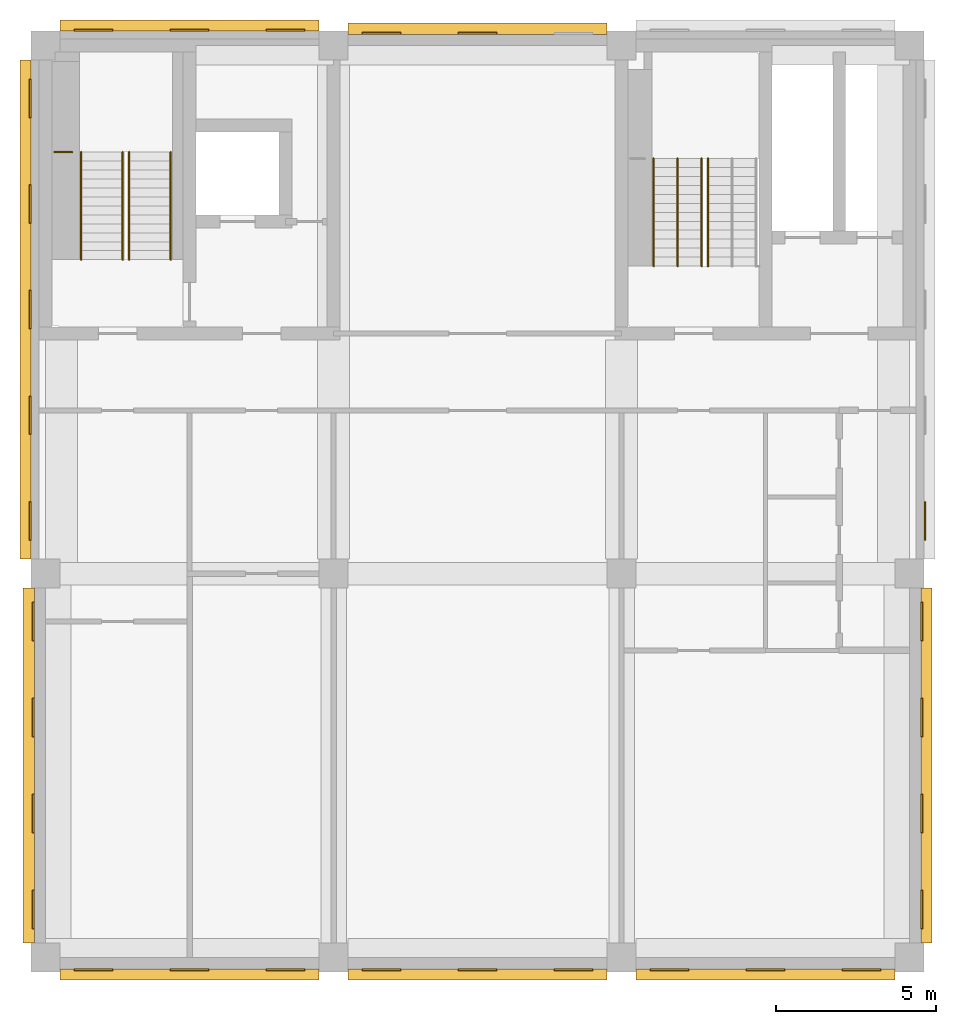
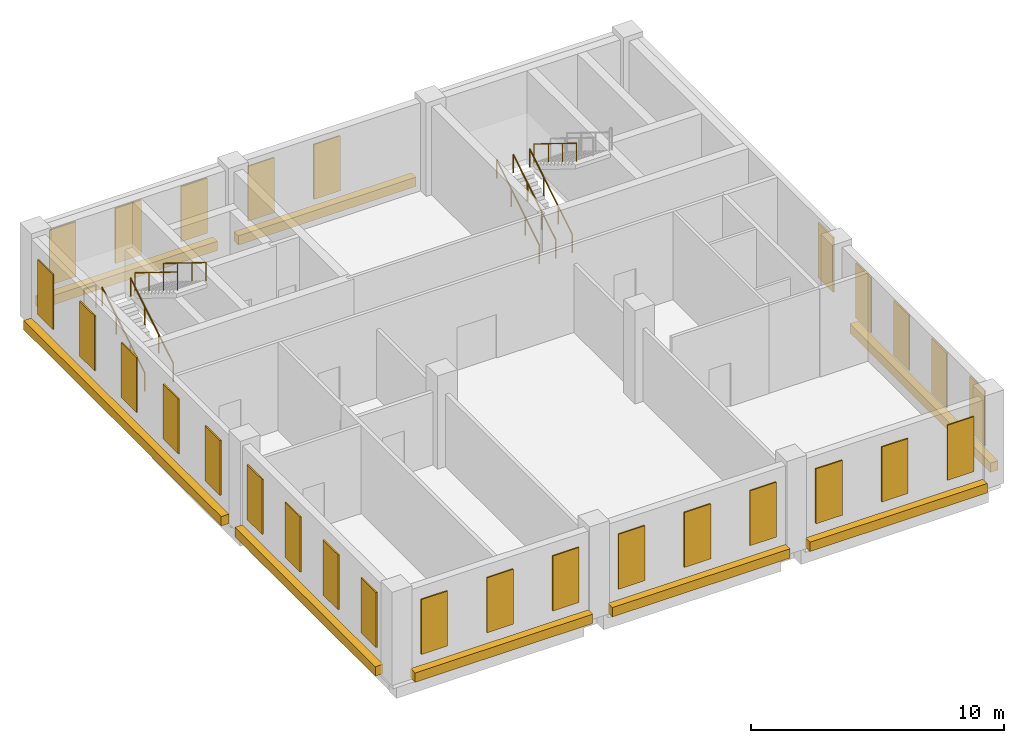
# One storey, part 4 of 5: 36 coverings, 9 railings.
"""IFC4 building model written with IfcOpenShell, lengths in metres."""

from ifc_helpers import new_model, si_unit, direction, frame, origin, origin_2d, place, context, subcontext, project, spatial, rectangle, circle, extrude, material, layer, layer_set, type_object, element, save


model = new_model("IFC4")

# Units and contexts
model_context = context("Model", 3, precision=1e-05, world=origin(), true_north=direction((0.0, 1.0)))
body_context = subcontext(model_context, "Body", "Model", "MODEL_VIEW")
ifc_project = project(units=[si_unit("LENGTHUNIT", "METRE"), si_unit("AREAUNIT", "SQUARE_METRE"), si_unit("VOLUMEUNIT", "CUBIC_METRE"), si_unit("PLANEANGLEUNIT", "RADIAN"), si_unit("MASSUNIT", "GRAM", prefix="KILO")], contexts=[model_context])

# Site, building, storey
site_placement = place(None, origin())
site = spatial("IfcSite", under=ifc_project, at=site_placement, CompositionType="ELEMENT")
building_placement = place(site_placement, origin())
building = spatial("IfcBuilding", under=site, at=building_placement, Name="Aurelan Courthouse", CompositionType="ELEMENT")
storey_placement = place(building_placement, frame((0.0, 0.0, 53.39990234375)))
storey = spatial("IfcBuildingStorey", under=building, at=storey_placement, Name="L10", CompositionType="ELEMENT", Elevation=53.39990234375)

# Coverings
ifc_material_1 = material(Name="Bronze sheet cladding")
ifc_layer = layer(ifc_material_1, 0.06005859375)
ifc_layer_set = layer_set([ifc_layer], Name="Bronze sheet cladding")
covering_type_1 = type_object("IfcCoveringType", Name="Courts' Floors blind bay 1200 x 2650", PredefinedType="CLADDING", material=ifc_layer_set)
for number, where, z_axis, x_axis, name in (
    (1, (1.5, -0.3798828125, 1.000244140625), (0.0, 0.0, 1.0), (1.0, 0.0, 0.0), "Blind bay BB-V5-L10-001"),
    (2, (4.5, -0.3798828125, 1.000244140625), (0.0, 0.0, 1.0), (1.0, 0.0, 0.0), "Blind bay BB-V5-L10-002"),
    (3, (7.5, -0.3798828125, 1.000244140625), (0.0, 0.0, 1.0), (1.0, 0.0, 0.0), "Blind bay BB-V5-L10-003"),
    (4, (10.5, -0.3798828125, 1.000244140625), (0.0, 0.0, 1.0), (1.0, 0.0, 0.0), "Blind bay BB-V5-L10-004"),
    (5, (13.5, -0.3798828125, 1.000244140625), (0.0, 0.0, 1.0), (1.0, 0.0, 0.0), "Blind bay BB-V5-L10-005"),
    (6, (16.5, -0.3798828125, 1.000244140625), (0.0, 0.0, 1.0), (1.0, 0.0, 0.0), "Blind bay BB-V5-L10-006"),
    (7, (19.5, -0.3798828125, 1.000244140625), (0.0, 0.0, 1.0), (1.0, 0.0, 0.0), "Blind bay BB-V5-L10-007"),
    (8, (22.5, -0.3798828125, 1.000244140625), (0.0, 0.0, 1.0), (1.0, 0.0, 0.0), "Blind bay BB-V5-L10-008"),
    (9, (25.5, -0.3798828125, 1.000244140625), (0.0, 0.0, 1.0), (1.0, 0.0, 0.0), "Blind bay BB-V5-L10-009"),
    (10, (1.5, 28.97998046875, 1.000244140625), (0.0, 0.0, 1.0), (1.0, 0.0, 0.0), "Blind bay BB-V5-L10-010"),
    (11, (4.5, 28.97998046875, 1.000244140625), (0.0, 0.0, 1.0), (1.0, 0.0, 0.0), "Blind bay BB-V5-L10-011"),
    (12, (7.5, 28.97998046875, 1.000244140625), (0.0, 0.0, 1.0), (1.0, 0.0, 0.0), "Blind bay BB-V5-L10-012"),
    (13, (10.5, 28.8798828125, 1.000244140625), (0.0, 0.0, 1.0), (1.0, 0.0, 0.0), "Blind bay BB-V5-L10-013"),
    (14, (13.5, 28.8798828125, 1.000244140625), (0.0, 0.0, 1.0), (1.0, 0.0, 0.0), "Blind bay BB-V5-L10-014"),
):
    element("IfcCovering", number, at=place(storey_placement, frame(where, z_axis=z_axis, x_axis=x_axis)), inside=storey, type_object=covering_type_1, Name=name, PredefinedType="CLADDING", context=body_context, shape_type="SweptSolid", body=[
        extrude(rectangle(XDim=1.199951171875, YDim=0.06005859375, at=origin_2d()), origin(), (0.0, 0.0, 1.0), 2.64990234375),
    ])
for number, where, z_axis, x_axis, name in (
    (15, (27.3798828125, 1.5, 1.000244140625), (0.0, 0.0, 1.0), (1.0, 0.0, 0.0), "Blind bay BB-V5-L10-019"),
    (16, (27.3798828125, 4.5, 1.000244140625), (0.0, 0.0, 1.0), (1.0, 0.0, 0.0), "Blind bay BB-V5-L10-020"),
    (17, (27.3798828125, 7.5, 1.000244140625), (0.0, 0.0, 1.0), (1.0, 0.0, 0.0), "Blind bay BB-V5-L10-021"),
    (18, (27.3798828125, 10.5, 1.000244140625), (0.0, 0.0, 1.0), (1.0, 0.0, 0.0), "Blind bay BB-V5-L10-022"),
    (19, (27.47998046875, 13.64990234375, 1.000244140625), (0.0, 0.0, 1.0), (1.0, 0.0, 0.0), "Blind bay BB-V5-L10-023"),
    (20, (-0.3798828125, 1.5, 1.000244140625), (0.0, 0.0, 1.0), (1.0, 0.0, 0.0), "Blind bay BB-V5-L10-028"),
    (21, (-0.3798828125, 4.5, 1.000244140625), (0.0, 0.0, 1.0), (1.0, 0.0, 0.0), "Blind bay BB-V5-L10-029"),
    (22, (-0.3798828125, 7.5, 1.000244140625), (0.0, 0.0, 1.0), (1.0, 0.0, 0.0), "Blind bay BB-V5-L10-030"),
    (23, (-0.3798828125, 10.5, 1.000244140625), (0.0, 0.0, 1.0), (1.0, 0.0, 0.0), "Blind bay BB-V5-L10-031"),
    (24, (-0.47998046875, 13.64990234375, 1.000244140625), (0.0, 0.0, 1.0), (1.0, 0.0, 0.0), "Blind bay BB-V5-L10-032"),
    (25, (-0.47998046875, 16.949951171875, 1.000244140625), (0.0, 0.0, 1.0), (1.0, 0.0, 0.0), "Blind bay BB-V5-L10-033"),
    (26, (-0.47998046875, 20.25, 1.000244140625), (0.0, 0.0, 1.0), (1.0, 0.0, 0.0), "Blind bay BB-V5-L10-034"),
    (27, (-0.47998046875, 23.550048828125, 1.000244140625), (0.0, 0.0, 1.0), (1.0, 0.0, 0.0), "Blind bay BB-V5-L10-035"),
    (28, (-0.47998046875, 26.85009765625, 1.000244140625), (0.0, 0.0, 1.0), (1.0, 0.0, 0.0), "Blind bay BB-V5-L10-036"),
):
    element("IfcCovering", number, at=place(storey_placement, frame(where, z_axis=z_axis, x_axis=x_axis)), inside=storey, type_object=covering_type_1, Name=name, PredefinedType="CLADDING", context=body_context, shape_type="SweptSolid", body=[
        extrude(rectangle(XDim=0.06005859375, YDim=1.199951171875, at=origin_2d()), origin(), (0.0, 0.0, 1.0), 2.64990234375),
    ])
ifc_material_2 = material(Name="Limestone cladding", Category="masonry")
covering_type_2 = type_object("IfcCoveringType", Name="Courts' Floors string course 450 x 350", PredefinedType="CLADDING", material=ifc_material_2)
for number, where, z_axis, x_axis, name in (
    (29, (4.5, -0.52490234375, 0.0), (0.0, 0.0, 1.0), (1.0, 0.0, 0.0), "String course SC-V5-025"),
    (30, (13.5, -0.52490234375, 0.0), (0.0, 0.0, 1.0), (1.0, 0.0, 0.0), "String course SC-V5-026"),
    (31, (22.5, -0.52490234375, 0.0), (0.0, 0.0, 1.0), (1.0, 0.0, 0.0), "String course SC-V5-027"),
):
    element("IfcCovering", number, at=place(storey_placement, frame(where, z_axis=z_axis, x_axis=x_axis)), inside=storey, type_object=covering_type_2, Name=name, PredefinedType="CLADDING", context=body_context, shape_type="SweptSolid", body=[
        extrude(rectangle(XDim=8.10009765625, YDim=0.35009765625, at=origin_2d()), origin(), (0.0, 0.0, 1.0), 0.449951171875),
    ])
for number, where, z_axis, x_axis, name in (
    (32, (-0.52490234375, 6.0, 0.0), (0.0, 0.0, 1.0), (1.0, 0.0, 0.0), "String course SC-V5-028"),
    (33, (27.52490234375, 6.0, 0.0), (0.0, 0.0, 1.0), (1.0, 0.0, 0.0), "String course SC-V5-029"),
):
    element("IfcCovering", number, at=place(storey_placement, frame(where, z_axis=z_axis, x_axis=x_axis)), inside=storey, type_object=covering_type_2, Name=name, PredefinedType="CLADDING", context=body_context, shape_type="SweptSolid", body=[
        extrude(rectangle(XDim=0.35009765625, YDim=11.10009765625, at=origin_2d()), origin(), (0.0, 0.0, 1.0), 0.449951171875),
    ])
covering_placement = place(storey_placement, frame((-0.625, 20.25, 0.0), z_axis=(0.0, 0.0, 1.0), x_axis=(1.0, 0.0, 0.0)))
element("IfcCovering", 34, at=covering_placement, inside=storey, type_object=covering_type_2, Name="String course SC-V5-030", PredefinedType="CLADDING", context=body_context, shape_type="SweptSolid", body=[
    extrude(rectangle(XDim=0.35009765625, YDim=15.60009765625, at=origin_2d()), origin(), (0.0, 0.0, 1.0), 0.449951171875),
])
for number, where, z_axis, x_axis, name in (
    (35, (13.5, 29.02490234375, 0.0), (0.0, 0.0, 1.0), (1.0, 0.0, 0.0), "String course SC-V5-032"),
    (36, (4.5, 29.125, 0.0), (0.0, 0.0, 1.0), (1.0, 0.0, 0.0), "String course SC-V5-033"),
):
    element("IfcCovering", number, at=place(storey_placement, frame(where, z_axis=z_axis, x_axis=x_axis)), inside=storey, type_object=covering_type_2, Name=name, PredefinedType="CLADDING", context=body_context, shape_type="SweptSolid", body=[
        extrude(rectangle(XDim=8.10009765625, YDim=0.35009765625, at=origin_2d()), origin(), (0.0, 0.0, 1.0), 0.449951171875),
    ])

# Railings
ifc_material_3 = material(Name="Steel S355", Category="steel")
railing_type_1 = type_object("IfcRailingType", Name="Stair guard 1100", PredefinedType="GUARDRAIL", material=ifc_material_3)
railing_1_placement = place(storey_placement, frame((0.830078125, 25.169921875, 2.25)))
element("IfcRailing", 37, at=railing_1_placement, inside=storey, type_object=railing_type_1, Name="Guard ST-5B-L10-GL1", PredefinedType="GUARDRAIL", context=body_context, shape_type="SweptSolid", body=[
    extrude(circle(Radius=0.02392578125, at=origin_2d()), frame((0.0, 0.0, 1.076171875), z_axis=(-1.0, 0.0, 0.0), x_axis=(0.0, -1.0, 0.0)), (0.0, 0.0, 1.0), 0.550048828125),
    extrude(circle(Radius=0.02099609375, at=origin_2d()), origin(), (0.0, 0.0, 1.0), 1.052001953125),
    extrude(circle(Radius=0.02099609375, at=origin_2d()), frame((-0.550048828125, 0.0, 0.0)), (0.0, 0.0, 1.0), 1.052001953125),
])
railing_type_2 = type_object("IfcRailingType", Name="Stair handrail 900", PredefinedType="HANDRAIL", material=ifc_material_3)
for number, where, name in (
    (38, (19.0, 21.610107421875, 0.173095703125), "Handrail ST-5A-L10-H1"),
    (39, (20.5, 21.610107421875, 0.173095703125), "Handrail ST-5A-L10-H2"),
    (40, (19.75, 21.610107421875, 0.173095703125), "Handrail ST-5A-L10-H3"),
):
    element("IfcRailing", number, at=place(storey_placement, frame(where)), inside=storey, type_object=railing_type_2, Name=name, PredefinedType="HANDRAIL", context=body_context, shape_type="SweptSolid", body=[
        extrude(circle(Radius=0.02392578125, at=origin_2d()), frame((0.0, 0.0, 0.8759765625), z_axis=(0.0, 0.850606129759, 0.525803396734), x_axis=(-1.0, 0.0, 0.0)), (0.0, 0.0, 1.0), 3.949951171875),
        extrude(circle(Radius=0.02099609375, at=origin_2d()), origin(), (0.0, 0.0, 1.0), 0.851806640625),
        extrude(circle(Radius=0.02099609375, at=origin_2d()), frame((0.0, 1.119873046875, 0.6923828125)), (0.0, 0.0, 1.0), 0.851806640625),
        extrude(circle(Radius=0.02099609375, at=origin_2d()), frame((0.0, 2.239990234375, 1.384521484375)), (0.0, 0.0, 1.0), 0.851806640625),
        extrude(circle(Radius=0.02099609375, at=origin_2d()), frame((0.0, 3.35986328125, 2.076904296875)), (0.0, 0.0, 1.0), 0.851806640625),
    ])
railing_2_placement = place(storey_placement, frame((20.699951171875, 24.969970703125, 2.423095703125)))
element("IfcRailing", 41, at=railing_2_placement, inside=storey, type_object=railing_type_2, Name="Handrail ST-5A-L10-H4", PredefinedType="HANDRAIL", context=body_context, shape_type="SweptSolid", body=[
    extrude(circle(Radius=0.02392578125, at=origin_2d()), frame((0.0, 0.0, 0.8759765625), z_axis=(0.0, -0.850606129759, 0.525803396734), x_axis=(1.0, 0.0, 0.0)), (0.0, 0.0, 1.0), 3.949951171875),
    extrude(circle(Radius=0.02099609375, at=origin_2d()), origin(), (0.0, 0.0, 1.0), 0.851806640625),
    extrude(circle(Radius=0.02099609375, at=origin_2d()), frame((0.0, -1.119873046875, 0.6923828125)), (0.0, 0.0, 1.0), 0.851806640625),
    extrude(circle(Radius=0.02099609375, at=origin_2d()), frame((0.0, -2.239990234375, 1.384521484375)), (0.0, 0.0, 1.0), 0.851806640625),
    extrude(circle(Radius=0.02099609375, at=origin_2d()), frame((0.0, -3.35986328125, 2.076904296875)), (0.0, 0.0, 1.0), 0.851806640625),
])
for number, where, name in (
    (42, (1.110107421875, 21.81005859375, 0.173095703125), "Handrail ST-5B-L10-H1"),
    (43, (2.409912109375, 21.81005859375, 0.173095703125), "Handrail ST-5B-L10-H2"),
):
    element("IfcRailing", number, at=place(storey_placement, frame(where)), inside=storey, type_object=railing_type_2, Name=name, PredefinedType="HANDRAIL", context=body_context, shape_type="SweptSolid", body=[
        extrude(circle(Radius=0.02392578125, at=origin_2d()), frame((0.0, 0.0, 0.8759765625), z_axis=(0.0, 0.850606129759, 0.525803396734), x_axis=(-1.0, 0.0, 0.0)), (0.0, 0.0, 1.0), 3.949951171875),
        extrude(circle(Radius=0.02099609375, at=origin_2d()), origin(), (0.0, 0.0, 1.0), 0.851806640625),
        extrude(circle(Radius=0.02099609375, at=origin_2d()), frame((0.0, 1.119873046875, 0.6923828125)), (0.0, 0.0, 1.0), 0.851806640625),
        extrude(circle(Radius=0.02099609375, at=origin_2d()), frame((0.0, 2.239990234375, 1.384521484375)), (0.0, 0.0, 1.0), 0.851806640625),
        extrude(circle(Radius=0.02099609375, at=origin_2d()), frame((0.0, 3.35986328125, 2.076904296875)), (0.0, 0.0, 1.0), 0.851806640625),
    ])
for number, where, name in (
    (44, (2.610107421875, 25.169921875, 2.423095703125), "Handrail ST-5B-L10-H3"),
    (45, (3.909912109375, 25.169921875, 2.423095703125), "Handrail ST-5B-L10-H4"),
):
    element("IfcRailing", number, at=place(storey_placement, frame(where)), inside=storey, type_object=railing_type_2, Name=name, PredefinedType="HANDRAIL", context=body_context, shape_type="SweptSolid", body=[
        extrude(circle(Radius=0.02392578125, at=origin_2d()), frame((0.0, 0.0, 0.8759765625), z_axis=(0.0, -0.850606129759, 0.525803396734), x_axis=(1.0, 0.0, 0.0)), (0.0, 0.0, 1.0), 3.949951171875),
        extrude(circle(Radius=0.02099609375, at=origin_2d()), origin(), (0.0, 0.0, 1.0), 0.851806640625),
        extrude(circle(Radius=0.02099609375, at=origin_2d()), frame((0.0, -1.119873046875, 0.6923828125)), (0.0, 0.0, 1.0), 0.851806640625),
        extrude(circle(Radius=0.02099609375, at=origin_2d()), frame((0.0, -2.239990234375, 1.384521484375)), (0.0, 0.0, 1.0), 0.851806640625),
        extrude(circle(Radius=0.02099609375, at=origin_2d()), frame((0.0, -3.35986328125, 2.076904296875)), (0.0, 0.0, 1.0), 0.851806640625),
    ])

save(model, "model.ifc")
